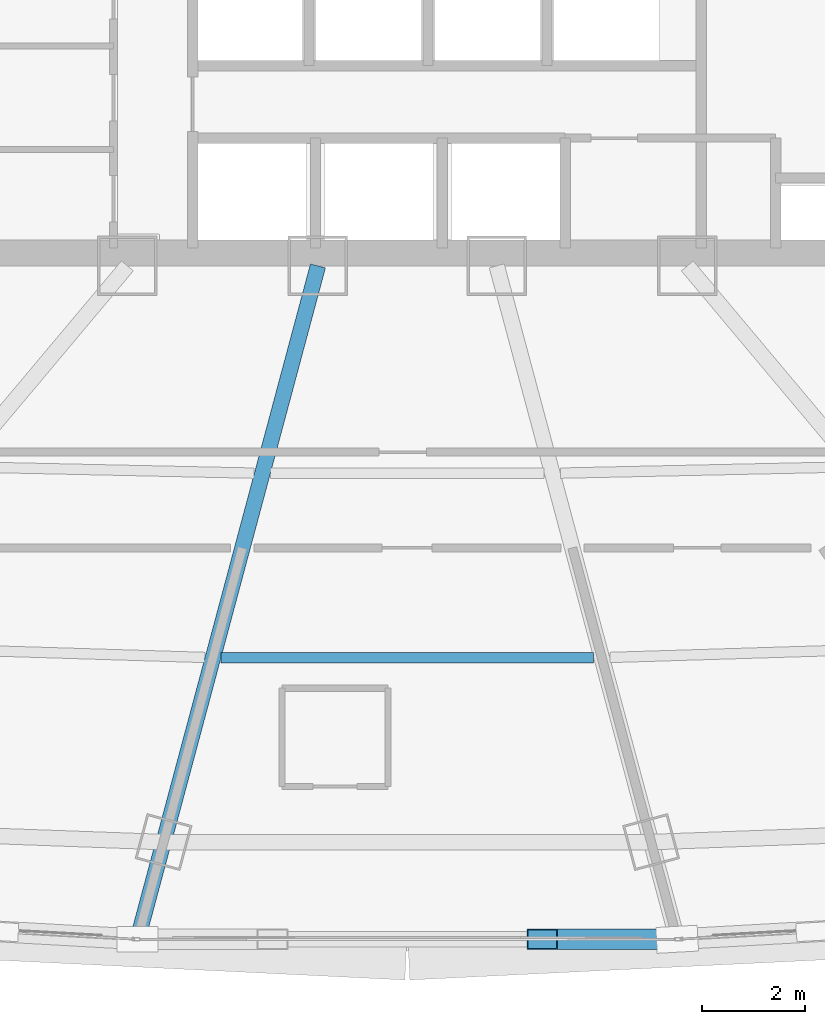
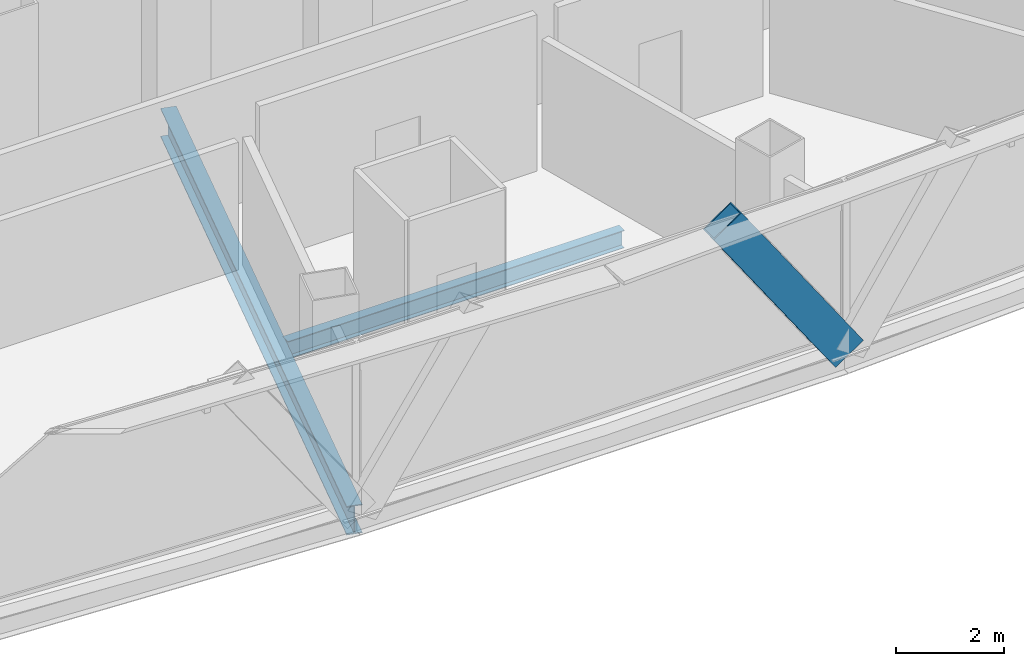
# One storey, part 11 of 37: 2 beams, 1 member.
"""IFC4 building model written with IfcOpenShell, lengths in metres."""

import ifcopenshell
import ifcopenshell.guid

model = None  # the IFC model being written
_history = None  # IfcOwnerHistory: only IFC2X3 demands one
_inside = {}  # id of a spatial element -> (the spatial element, [elements in it])
_under = {}  # id of a project, library or spatial element -> (it, [spatial elements below it])
_declared = {}  # id of a project -> (the project, [libraries it declares])
_typed = {}  # id of a type object -> (the type object, [elements of that type])
_made_of = {}  # id of a material, layer set ... -> (it, [elements and type objects made of it])


def new_model(schema):
    """Start an empty IFC model of exactly this schema.

    Asked for "IFC4X3", IfcOpenShell would pick the latest addendum, in which some entities
    have other attributes; the version numbers below select the first issue.
    IFC2X3 requires an IfcOwnerHistory on every rooted entity: one is made here for all.
    """
    global model, _history
    if schema == "IFC4X3":
        model = ifcopenshell.file(schema_version=(4, 3, 0, 0))
    else:
        model = ifcopenshell.file(schema=schema)
    _inside.clear()
    _under.clear()
    _declared.clear()
    _typed.clear()
    _made_of.clear()
    _history = None
    if model.schema == "IFC2X3":
        org = make("IfcOrganization", Name="unknown")
        user = make(
            "IfcPersonAndOrganization",
            ThePerson=make("IfcPerson", FamilyName="unknown"),
            TheOrganization=org,
        )
        app = make(
            "IfcApplication",
            ApplicationDeveloper=org,
            Version="unknown",
            ApplicationFullName="unknown",
            ApplicationIdentifier="unknown",
        )
        _history = make(
            "IfcOwnerHistory",
            OwningUser=user,
            OwningApplication=app,
            ChangeAction="ADDED",
            CreationDate=0,
        )
    return model


def make(cls, **values):
    """One entity of the class cls with the attributes given. An attribute that is None is left unset."""
    return model.create_entity(
        cls, **{name: value for name, value in values.items() if value is not None}
    )


def rooted(cls, **values):
    """An entity with a GlobalId (a new one), such as an element, a storey or a relation."""
    return make(cls, GlobalId=ifcopenshell.guid.new(), OwnerHistory=_history, **values)


def si_unit(unit_type, name, prefix=None):
    """IfcSIUnit, for example si_unit("LENGTHUNIT", "METRE", prefix="MILLI")."""
    return make("IfcSIUnit", UnitType=unit_type, Prefix=prefix, Name=name)


def assignment(units):
    """IfcUnitAssignment: the units of a project."""
    return None if units is None else make("IfcUnitAssignment", Units=units)


def point(xyz):
    """IfcCartesianPoint."""
    return None if xyz is None else make("IfcCartesianPoint", Coordinates=xyz)


def direction(xyz):
    """IfcDirection."""
    return None if xyz is None else make("IfcDirection", DirectionRatios=xyz)


def frame(location, z_axis=None, x_axis=None):
    """IfcAxis2Placement3D, a coordinate frame: its origin and axes. An axis left out is left unset."""
    return make(
        "IfcAxis2Placement3D",
        Location=point(location),
        Axis=direction(z_axis),
        RefDirection=direction(x_axis),
    )


def frame_2d(location, x_axis=None):
    """IfcAxis2Placement2D, a coordinate frame in the plane: its origin and x axis."""
    return make(
        "IfcAxis2Placement2D", Location=point(location), RefDirection=direction(x_axis)
    )


def origin():
    """The frame at (0, 0, 0) with its axes left unset."""
    return frame((0.0, 0.0, 0.0))


def origin_2d():
    """The frame at (0, 0) in the plane with its x axis left unset."""
    return frame_2d((0.0, 0.0))


def place(relative_to, where):
    """IfcLocalPlacement: puts the frame where relative to a parent placement (None: the world)."""
    return make(
        "IfcLocalPlacement", PlacementRelTo=relative_to, RelativePlacement=where
    )


def context(
    kind, dimensions, precision=None, world=None, true_north=None, identifier=None
):
    """IfcGeometricRepresentationContext, for example the 3D "Model" context."""
    return make(
        "IfcGeometricRepresentationContext",
        ContextIdentifier=identifier,
        ContextType=kind,
        CoordinateSpaceDimension=dimensions,
        Precision=precision,
        WorldCoordinateSystem=world,
        TrueNorth=true_north,
    )


def subcontext(parent, identifier, kind, view, scale=None):
    """IfcGeometricRepresentationSubContext, for example "Body" below "Model"."""
    return make(
        "IfcGeometricRepresentationSubContext",
        ContextIdentifier=identifier,
        ContextType=kind,
        ParentContext=parent,
        TargetScale=scale,
        TargetView=view,
    )


def project(units=None, contexts=None):
    """IfcProject with its units and contexts."""
    return rooted(
        "IfcProject",
        Name="project",
        RepresentationContexts=contexts,
        UnitsInContext=assignment(units),
    )


def spatial(cls, under=None, at=None, **own):
    """A site, building, storey or space (cls), placed at a placement, below another one or the project."""
    s = rooted(cls, ObjectPlacement=at, **own)
    if under is not None:
        _under.setdefault(under.id(), (under, []))[1].append(s)
    return s


def profile(cls, at=None, kind="AREA", **sizes):
    """A parametric profile (cls). Its sizes go by their IFC names, for example OverallWidth=200.0."""
    return make(cls, ProfileType=kind, Position=at, **sizes)


def hollow_rectangle(**sizes):
    """IfcRectangleHollowProfileDef."""
    return profile("IfcRectangleHollowProfileDef", **sizes)


def i_section(**sizes):
    """IfcIShapeProfileDef."""
    return profile("IfcIShapeProfileDef", **sizes)


def extrude(swept, where, along, depth):
    """IfcExtrudedAreaSolid: the profile swept, set in the frame where, extruded along a direction by depth."""
    return make(
        "IfcExtrudedAreaSolid",
        SweptArea=swept,
        Position=where,
        ExtrudedDirection=direction(along),
        Depth=depth,
    )


def shape(context_of_items, identifier, shape_type, items):
    """IfcShapeRepresentation: the items that make up one representation, for example the "Body"."""
    return make(
        "IfcShapeRepresentation",
        ContextOfItems=context_of_items,
        RepresentationIdentifier=identifier,
        RepresentationType=shape_type,
        Items=items,
    )


def source(mapping_origin, context_of_items, identifier, shape_type, items):
    """IfcRepresentationMap: a shape defined once, which mapped items show again and again."""
    return make(
        "IfcRepresentationMap",
        MappingOrigin=mapping_origin,
        MappedRepresentation=shape(context_of_items, identifier, shape_type, items),
    )


def transform(
    local_origin,
    x_axis=None,
    y_axis=None,
    z_axis=None,
    scale=None,
    scale2=None,
    scale3=None,
    uniform=True,
):
    """IfcCartesianTransformationOperator3D, or its non-uniform kind. x_axis, y_axis, z_axis: its Axis1, 2, 3."""
    if uniform:
        return make(
            "IfcCartesianTransformationOperator3D",
            Axis1=direction(x_axis),
            Axis2=direction(y_axis),
            LocalOrigin=point(local_origin),
            Scale=scale,
            Axis3=direction(z_axis),
        )
    return make(
        "IfcCartesianTransformationOperator3DnonUniform",
        Axis1=direction(x_axis),
        Axis2=direction(y_axis),
        LocalOrigin=point(local_origin),
        Scale=scale,
        Axis3=direction(z_axis),
        Scale2=scale2,
        Scale3=scale3,
    )


def mapped(mapping_source, mapping_target):
    """IfcMappedItem: shows the shape of a source again, moved by a transform."""
    return make(
        "IfcMappedItem", MappingSource=mapping_source, MappingTarget=mapping_target
    )


def material(Name=None, Category=None):
    """IfcMaterial."""
    return make("IfcMaterial", Name=Name, Category=Category)


def material_profile(
    of_material, cross_section, Name=None, Category=None, Priority=None
):
    """IfcMaterialProfile: a cross section and its material."""
    return make(
        "IfcMaterialProfile",
        Name=Name,
        Material=of_material,
        Profile=cross_section,
        Priority=Priority,
        Category=Category,
    )


def profile_set(profiles, Name=None, composite=None):
    """IfcMaterialProfileSet."""
    return make(
        "IfcMaterialProfileSet",
        Name=Name,
        MaterialProfiles=profiles,
        CompositeProfile=composite,
    )


def made_of(thing, what):
    """Note that an element or type object is made of a material, layer set ...; save() writes the relation."""
    if what is not None:
        _made_of.setdefault(what.id(), (what, []))[1].append(thing)
    return thing


def type_object(cls, material=None, **own):
    """A type object (cls), such as IfcWallType, which elements share."""
    return made_of(rooted(cls, **own), material)


def element(
    cls,
    number,
    at=None,
    inside=None,
    cuts=None,
    type_object=None,
    material=None,
    context=None,
    identifier="Body",
    shape_type=None,
    held_by="IfcProductDefinitionShape",
    body=None,
    shapes=None,
    **own,
):
    """One element of the class cls, such as IfcWall. Its Tag is "e" and its number.

    at: its placement. inside: the storey or other place that contains it. cuts: it is an
    opening in that element (IfcRelVoidsElement). A single representation is given by context,
    identifier, shape_type and body (its items); several are given by shapes. held_by: the class
    of the entity that holds the representations. save() writes the other relations.
    """
    e = rooted(cls, Tag="e%d" % number, ObjectPlacement=at, **own)
    if body is not None:
        shapes = [shape(context, identifier, shape_type, body)]
    if shapes is not None:
        e.Representation = make(held_by, Representations=shapes)
    if inside is not None:
        _inside.setdefault(inside.id(), (inside, []))[1].append(e)
    if cuts is not None:
        rooted(
            "IfcRelVoidsElement", RelatingBuildingElement=cuts, RelatedOpeningElement=e
        )
    if type_object is not None:
        _typed.setdefault(type_object.id(), (type_object, []))[1].append(e)
    return made_of(e, material)


def aggregate(whole, parts):
    """IfcRelAggregates: a whole, such as a stair, and the parts it consists of."""
    return rooted("IfcRelAggregates", RelatingObject=whole, RelatedObjects=parts)


def save(model, path):
    """Write the relations noted so far, then the file.

    IfcRelAggregates (storeys below a building ...), IfcRelContainedInSpatialStructure (elements
    in a storey), IfcRelDefinesByType, IfcRelAssociatesMaterial and IfcRelDeclares: one each for
    every whole, place, type object, material and project.
    """
    for whole, parts in _under.values():
        aggregate(whole, parts)
    for where, things in _inside.values():
        rooted(
            "IfcRelContainedInSpatialStructure",
            RelatedElements=things,
            RelatingStructure=where,
        )
    for kind, things in _typed.values():
        rooted("IfcRelDefinesByType", RelatedObjects=things, RelatingType=kind)
    for what, things in _made_of.values():
        rooted("IfcRelAssociatesMaterial", RelatedObjects=things, RelatingMaterial=what)
    for by, libraries in _declared.values():
        rooted("IfcRelDeclares", RelatingContext=by, RelatedDefinitions=libraries)
    model.write(path)


model = new_model("IFC4")

# Units and contexts
model_context = context("Model", 3, precision=1e-05, world=origin(), true_north=direction((0.0, 1.0)))
body_context = subcontext(model_context, "Body", "Model", "MODEL_VIEW")
ifc_project = project(units=[si_unit("LENGTHUNIT", "METRE"), si_unit("AREAUNIT", "SQUARE_METRE"), si_unit("VOLUMEUNIT", "CUBIC_METRE"), si_unit("PLANEANGLEUNIT", "RADIAN"), si_unit("MASSUNIT", "GRAM", prefix="KILO"), si_unit("THERMODYNAMICTEMPERATUREUNIT", "KELVIN"), si_unit("POWERUNIT", "WATT")], contexts=[model_context])

# Site, building, storey
site_placement = place(None, origin())
site = spatial("IfcSite", under=ifc_project, at=site_placement, CompositionType="ELEMENT")
building_placement = place(site_placement, origin())
building = spatial("IfcBuilding", under=site, at=building_placement, Name="Yunzhuo Pagoda Commons", CompositionType="ELEMENT")
storey_placement = place(building_placement, frame((0.0, 0.0, 192.360107421875)))
storey = spatial("IfcBuildingStorey", under=building, at=storey_placement, Name="L48", CompositionType="ELEMENT", Elevation=192.360107421875)

# Beams
ifc_material = material(Name="Structural steel Q355B", Category="steel")
ifc_material_profile_1 = material_profile(ifc_material, i_section(OverallWidth=0.199951171875, OverallDepth=0.39990234375, WebThickness=0.008056640625, FlangeThickness=0.012939453125, at=origin_2d()), Name="Structural steel Q355B")
ifc_profile_set_1 = profile_set([ifc_material_profile_1], Name="Structural steel Q355B")
beam_type_1 = type_object("IfcBeamType", Name="B-JS1 Joist HN 400x200x8x13", PredefinedType="JOIST", material=ifc_profile_set_1)
shared_shape_1 = source(origin(), body_context, "Body", "SweptSolid", [
    extrude(i_section(OverallWidth=0.199951171875, OverallDepth=0.39990234375, WebThickness=0.008056640625, FlangeThickness=0.012939453125, at=origin_2d()), origin(), (0.0, 0.0, 1.0), 7.197265625),
])
beam_1_placement = place(storey_placement, frame((44.4013671875, 19.676513671875, -0.460205078125), z_axis=(1.0, 0.0, 0.0), x_axis=(0.0, 1.0, 0.0)))
element("IfcBeam", 1, at=beam_1_placement, inside=storey, type_object=beam_type_1, Name="L48 composite ring joist 2.2", PredefinedType="JOIST", context=body_context, shape_type="MappedRepresentation", body=[
    mapped(shared_shape_1, transform((0.0, 0.0, 0.0), scale=1.0)),
])
ifc_material_profile_2 = material_profile(ifc_material, i_section(OverallWidth=0.300048828125, OverallDepth=0.64990234375, WebThickness=0.012939453125, FlangeThickness=0.02197265625, at=origin_2d()), Name="Structural steel Q355B")
ifc_profile_set_2 = profile_set([ifc_material_profile_2], Name="Structural steel Q355B")
beam_type_2 = type_object("IfcBeamType", Name="B-RG2 Beam HN 650x300x13x22", PredefinedType="BEAM", material=ifc_profile_set_2)
shared_shape_2 = source(origin(), body_context, "Body", "SweptSolid", [
    extrude(i_section(OverallWidth=0.300048828125, OverallDepth=0.64990234375, WebThickness=0.012939453125, FlangeThickness=0.02197265625, at=origin_2d()), origin(), (0.0, 0.0, 1.0), 13.320556640625),
])
beam_2_placement = place(storey_placement, frame((42.82421875, 14.38330078125, -0.585205078125), z_axis=(0.258828307635, 0.965923344353, 0.0), x_axis=(-0.965923344353, 0.258828307635, 0.0)))
element("IfcBeam", 2, at=beam_2_placement, inside=storey, type_object=beam_type_2, Name="L48 radial floor girder F1C2", PredefinedType="BEAM", context=body_context, shape_type="MappedRepresentation", body=[
    mapped(shared_shape_2, transform((0.0, 0.0, 0.0), scale=1.0)),
])

# Member
ifc_material_profile_3 = material_profile(ifc_material, hollow_rectangle(XDim=0.39990234375, YDim=0.719970703125, WallThickness=0.02392578125, at=origin_2d()), Name="Structural steel Q355B")
ifc_profile_set_3 = profile_set([ifc_material_profile_3], Name="Structural steel Q355B")
member_type = type_object("IfcMemberType", Name="M-DL2 Brace BOX 720x400x24", PredefinedType="BRACE", material=ifc_profile_set_3)
shared_shape_3 = source(origin(), body_context, "Body", "SweptSolid", [
    extrude(hollow_rectangle(XDim=0.39990234375, YDim=0.719970703125, WallThickness=0.02392578125, at=origin_2d()), origin(), (0.0, 0.0, 1.0), 4.60888671875),
])
member_placement = place(storey_placement, frame((53.21630859375, 14.233642578125, -0.260009765625), z_axis=(-0.565944170708, 0.0, 0.824443567287), x_axis=(0.0, -1.0, 0.0)))
element("IfcMember", 3, at=member_placement, inside=storey, type_object=member_type, Name="L48 facade diamond brace F1.2R", PredefinedType="BRACE", context=body_context, shape_type="MappedRepresentation", body=[
    mapped(shared_shape_3, transform((0.0, 0.0, 0.0), scale=1.0)),
])

save(model, "model.ifc")
